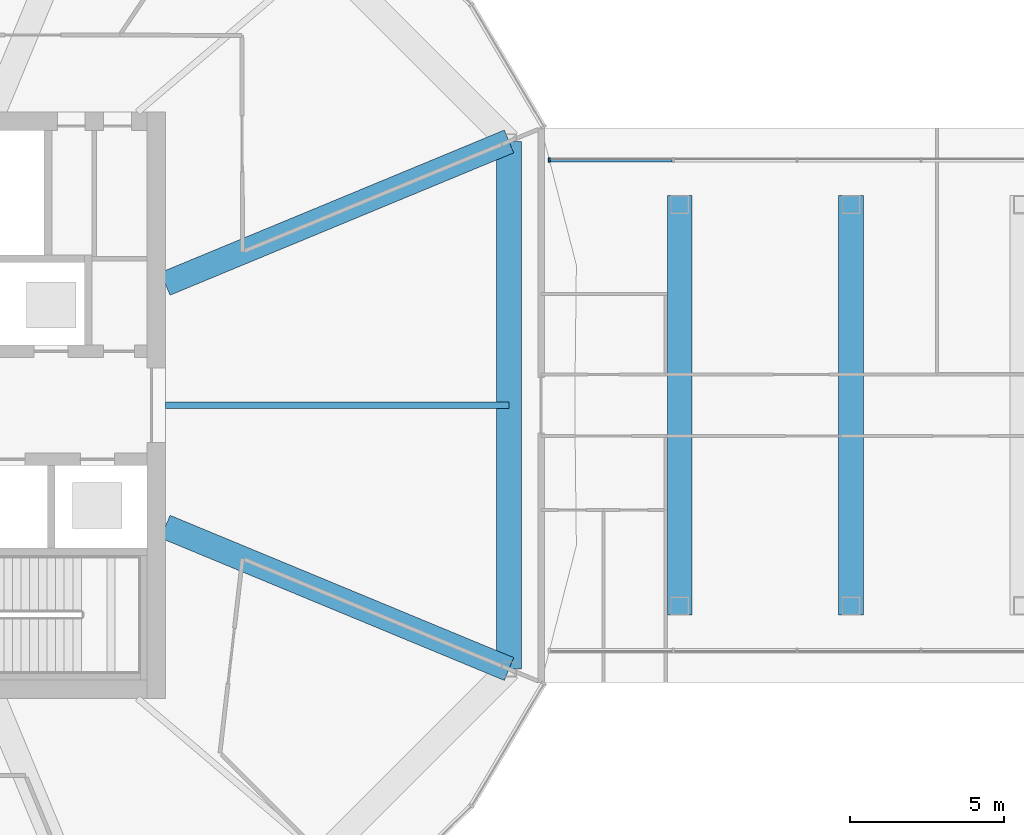
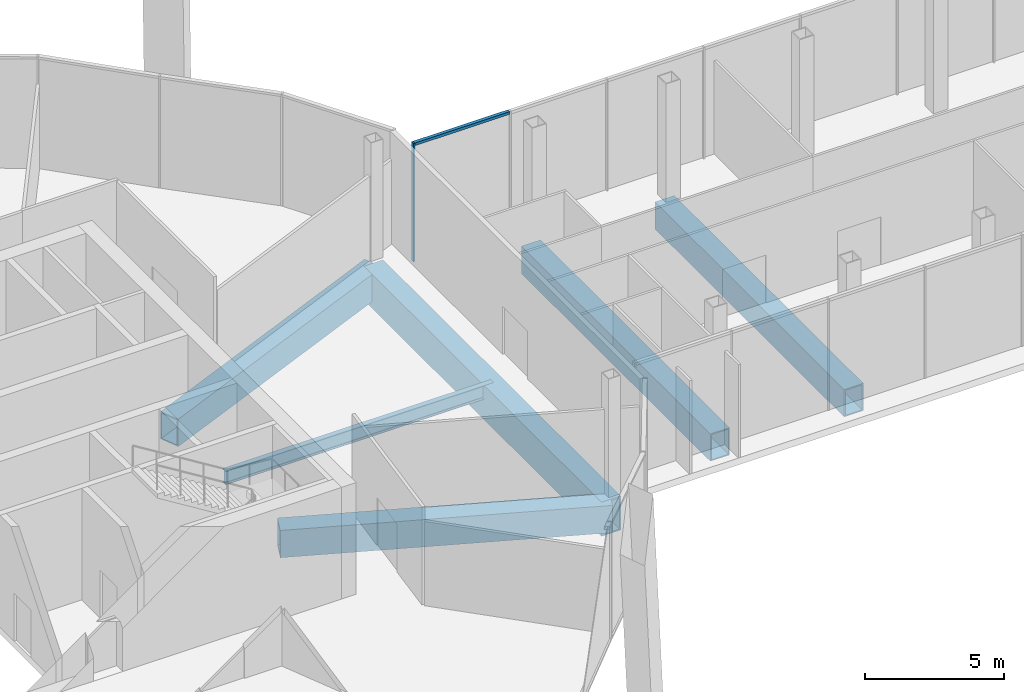
# One storey, part 7 of 28: 6 beams, 2 members, 1 element without a shape of its own.
"""IFC4 building model written with IfcOpenShell, lengths in metres."""

from ifc_helpers import new_model, si_unit, direction, frame, origin, origin_2d, place, context, subcontext, project, spatial, rectangle, hollow_rectangle, i_section, extrude, material, material_profile, profile_set, type_object, element, aggregate, save


model = new_model("IFC4")

# Units and contexts
model_context = context("Model", 3, precision=1e-05, world=origin(), true_north=direction((0.0, 1.0)))
body_context = subcontext(model_context, "Body", "Model", "MODEL_VIEW")
ifc_project = project(units=[si_unit("LENGTHUNIT", "METRE"), si_unit("AREAUNIT", "SQUARE_METRE"), si_unit("VOLUMEUNIT", "CUBIC_METRE"), si_unit("PLANEANGLEUNIT", "RADIAN"), si_unit("MASSUNIT", "GRAM", prefix="KILO")], contexts=[model_context])

# Site, building, storey
site_placement = place(None, origin())
site = spatial("IfcSite", under=ifc_project, at=site_placement, CompositionType="ELEMENT")
building_placement = place(site_placement, origin())
building = spatial("IfcBuilding", under=site, at=building_placement, Name="Ogive Gate Towers", CompositionType="ELEMENT")
storey_placement = place(building_placement, frame((0.0, 0.0, 135.60009765625)))
storey = spatial("IfcBuildingStorey", under=building, at=storey_placement, Name="L32", CompositionType="ELEMENT", Elevation=135.60009765625)

# Beams
ifc_material_1 = material(Name="Steel SM460", Category="steel")
ifc_material_profile_1 = material_profile(ifc_material_1, hollow_rectangle(XDim=0.800048828125, YDim=1.199951171875, WallThickness=0.050048828125, at=origin_2d()), Name="BX 1200x800x50")
ifc_profile_set_1 = profile_set([ifc_material_profile_1], Name="Steel SM460")
beam_type_1 = type_object("IfcBeamType", Name="Block transfer beam BX 1200x800x50", PredefinedType="BEAM", material=ifc_profile_set_1)
for number, where, z_axis, x_axis, name in (
    (1, (-9.83056640625, -6.800048828125, -0.900146484375), (0.0, 1.0, 0.0), (-1.0, 0.0, 0.0), "BR/L32/SBM001"),
    (2, (-4.27392578125, -6.800048828125, -0.900146484375), (0.0, 1.0, 0.0), (-1.0, 0.0, 0.0), "BR/L32/SBM002"),
):
    element("IfcBeam", number, at=place(storey_placement, frame(where, z_axis=z_axis, x_axis=x_axis)), inside=storey, type_object=beam_type_1, Name=name, PredefinedType="BEAM", context=body_context, shape_type="SweptSolid", body=[
        extrude(hollow_rectangle(XDim=0.800048828125, YDim=1.199951171875, WallThickness=0.050048828125, at=origin_2d()), origin(), (0.0, 0.0, 1.0), 13.60009765625),
    ])
ifc_material_profile_2 = material_profile(ifc_material_1, hollow_rectangle(XDim=0.800048828125, YDim=1.5, WallThickness=0.06005859375, at=origin_2d()), Name="BX 1500x800x60")
ifc_profile_set_2 = profile_set([ifc_material_profile_2], Name="Steel SM460")
beam_type_2 = type_object("IfcBeamType", Name="Edge girder BX 1500x800x60", PredefinedType="BEAM", material=ifc_profile_set_2)
beam_1_placement = place(storey_placement, frame((-15.360595703125, -8.549072265625, -1.050048828125), z_axis=(0.0, 1.0, 0.0), x_axis=(-1.0, 0.0, 0.0)))
element("IfcBeam", 3, at=beam_1_placement, inside=storey, type_object=beam_type_2, Name="T1/L32/SBM020", PredefinedType="BEAM", context=body_context, shape_type="SweptSolid", body=[
    extrude(hollow_rectangle(XDim=0.800048828125, YDim=1.5, WallThickness=0.06005859375, at=origin_2d()), origin(), (0.0, 0.0, 1.0), 17.09814453125),
])

# Curtain wall, members
ifc_material_2 = material(Name="Pale metal aluminium", Category="aluminium")
curtain_wall_type = type_object("IfcCurtainWallType", Name="Gate block facade", PredefinedType="NOTDEFINED", material=ifc_material_2)
curtain_wall_placement = place(storey_placement, origin())
curtain_wall = element("IfcCurtainWall", 4, at=curtain_wall_placement, inside=storey, type_object=curtain_wall_type, Name="CW3 BR ECW02", PredefinedType="NOTDEFINED")
ifc_material_profile_3 = material_profile(ifc_material_2, rectangle(XDim=0.139892578125, YDim=0.06005859375, at=origin_2d()), Name="60 x 140 aluminium box")
ifc_profile_set_3 = profile_set([ifc_material_profile_3], Name="Pale metal aluminium")
member_type_1 = type_object("IfcMemberType", Name="Gate block facade mullion 60 x 140", PredefinedType="MULLION", material=ifc_profile_set_3)
member_1_placement = place(storey_placement, frame((-14.06005859375, 7.95166015625, -0.300048828125), z_axis=(0.0, 0.0, 1.0), x_axis=(0.0, 1.0, 0.0)))
member_1 = element("IfcMember", 5, at=member_1_placement, type_object=member_type_1, Name="CW3 mullion", PredefinedType="MULLION", context=body_context, shape_type="SweptSolid", body=[
    extrude(rectangle(XDim=0.139892578125, YDim=0.06005859375, at=origin_2d()), origin(), (0.0, 0.0, 1.0), 5.199951171875),
])
ifc_material_profile_4 = material_profile(ifc_material_2, rectangle(XDim=0.139892578125, YDim=0.1201171875, at=origin_2d()), Name="120 x 140 aluminium box")
ifc_profile_set_4 = profile_set([ifc_material_profile_4], Name="Pale metal aluminium")
member_type_2 = type_object("IfcMemberType", Name="Gate block facade transom 120 x 140", PredefinedType="USERDEFINED", material=ifc_profile_set_4)
member_2_placement = place(storey_placement, frame((-10.072998046875, 7.95166015625, 4.83984375), z_axis=(-1.0, 0.0, 0.0), x_axis=(0.0, -1.0, 0.0)))
member_2 = element("IfcMember", 6, at=member_2_placement, type_object=member_type_2, Name="CW3 transom", ObjectType="TRANSOM", PredefinedType="USERDEFINED", context=body_context, shape_type="SweptSolid", body=[
    extrude(rectangle(XDim=0.139892578125, YDim=0.1201171875, at=origin_2d()), origin(), (0.0, 0.0, 1.0), 3.95703125),
])
aggregate(curtain_wall, [member_1, member_2])

# Beams
ifc_material_3 = material(Name="Steel SM355", Category="steel")
ifc_material_profile_5 = material_profile(ifc_material_3, i_section(OverallWidth=0.219970703125, OverallDepth=0.60009765625, WebThickness=0.011962890625, FlangeThickness=0.01904296875, FilletRadius=0.02392578125, at=origin_2d()), Name="IPE 600")
ifc_profile_set_5 = profile_set([ifc_material_profile_5], Name="Steel SM355")
beam_type_3 = type_object("IfcBeamType", Name="Radial floor beam IPE 600", PredefinedType="BEAM", material=ifc_profile_set_5)
beam_2_placement = place(storey_placement, frame((-26.5, 0.0, -0.60009765625), z_axis=(1.0, 0.0, 0.0), x_axis=(0.0, 1.0, 0.0)))
element("IfcBeam", 7, at=beam_2_placement, inside=storey, type_object=beam_type_3, Name="T1/L32/SBM008", PredefinedType="BEAM", context=body_context, shape_type="SweptSolid", body=[
    extrude(i_section(OverallWidth=0.219970703125, OverallDepth=0.60009765625, WebThickness=0.011962890625, FlangeThickness=0.01904296875, FilletRadius=0.02392578125, at=origin_2d()), origin(), (0.0, 0.0, 1.0), 11.139404296875),
])
ifc_material_profile_6 = material_profile(ifc_material_1, hollow_rectangle(XDim=0.800048828125, YDim=1.199951171875, WallThickness=0.050048828125, at=origin_2d()), Name="BX 1200x800x50")
ifc_profile_set_6 = profile_set([ifc_material_profile_6], Name="Steel SM460")
beam_type_4 = type_object("IfcBeamType", Name="Transfer radial beam BX 1200x800x50", PredefinedType="BEAM", material=ifc_profile_set_6)
for number, where, z_axis, x_axis, name in (
    (8, (-26.5, -3.93505859375, -0.900146484375), (0.923881839184, -0.382677863518, 0.0), (0.382677863518, 0.923881839184, 0.0), "T1/L32/SBM007"),
    (9, (-26.5, 3.93505859375, -0.900146484375), (0.923881839184, 0.382677863518, 0.0), (-0.382677863518, 0.923881839184, 0.0), "T1/L32/SBM009"),
):
    element("IfcBeam", number, at=place(storey_placement, frame(where, z_axis=z_axis, x_axis=x_axis)), inside=storey, type_object=beam_type_4, Name=name, PredefinedType="BEAM", context=body_context, shape_type="SweptSolid", body=[
        extrude(hollow_rectangle(XDim=0.800048828125, YDim=1.199951171875, WallThickness=0.050048828125, at=origin_2d()), origin(), (0.0, 0.0, 1.0), 12.05712890625),
    ])

save(model, "model.ifc")
